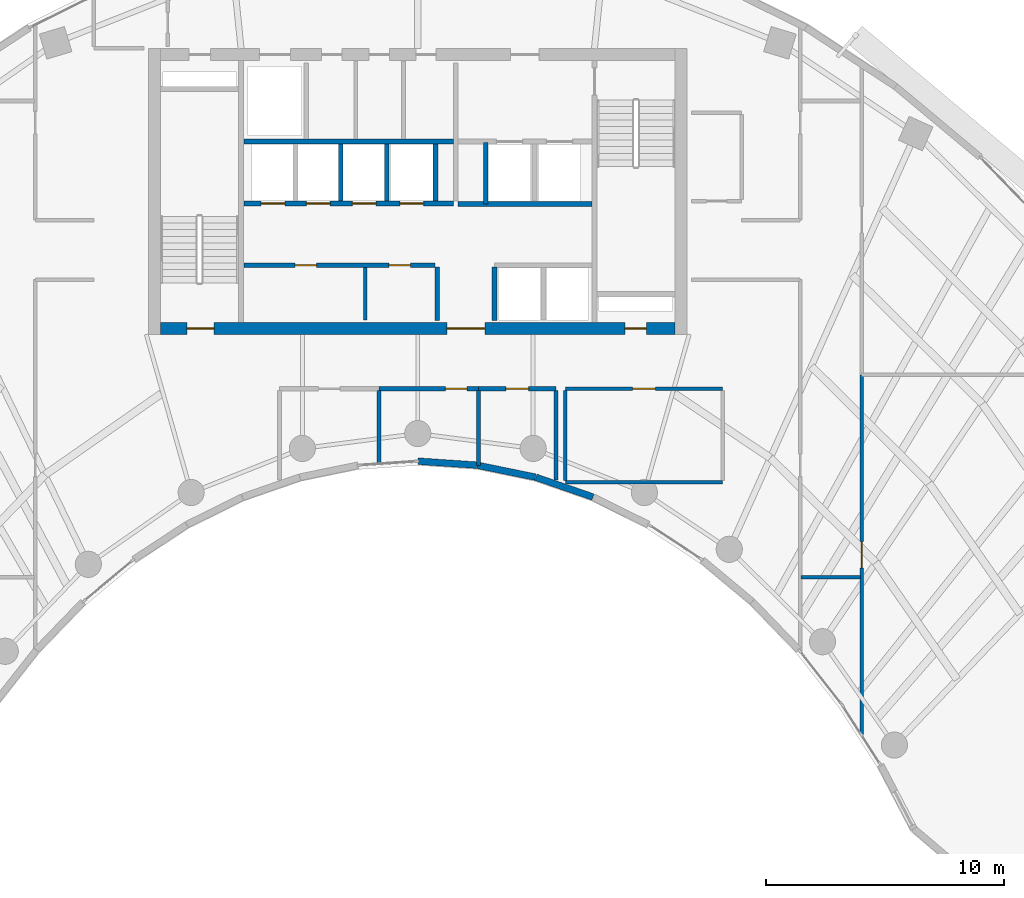
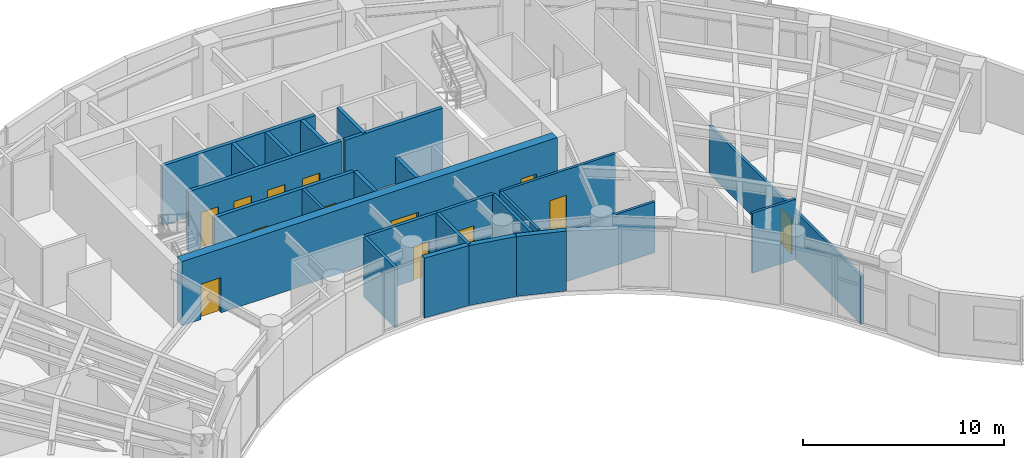
# One storey, part 8 of 13: 25 walls, 13 doors, 13 openings.
"""IFC4 building model written with IfcOpenShell, lengths in metres."""

from ifc_helpers import new_model, si_unit, direction, frame, frame_2d, origin, place, context, subcontext, project, spatial, rectangle, extrude, source, transform, mapped, material, layer, layer_set, type_object, type_shapes, element, fill, save


model = new_model("IFC4")

# Units and contexts
model_context = context("Model", 3, precision=1e-05, world=origin(), true_north=direction((0.0, 1.0)))
body_context = subcontext(model_context, "Body", "Model", "MODEL_VIEW")
ifc_project = project(units=[si_unit("LENGTHUNIT", "METRE"), si_unit("AREAUNIT", "SQUARE_METRE"), si_unit("VOLUMEUNIT", "CUBIC_METRE"), si_unit("PLANEANGLEUNIT", "RADIAN"), si_unit("MASSUNIT", "GRAM", prefix="KILO")], contexts=[model_context])

# Site, building, storey
site_placement = place(None, origin())
site = spatial("IfcSite", under=ifc_project, at=site_placement, CompositionType="ELEMENT")
building_placement = place(site_placement, origin())
building = spatial("IfcBuilding", under=site, at=building_placement, Name="Breltana Convention Tower", CompositionType="ELEMENT")
storey_placement = place(building_placement, frame((0.0, 0.0, 146.699951171875)))
storey = spatial("IfcBuildingStorey", under=building, at=storey_placement, Name="L35", CompositionType="ELEMENT", Elevation=146.699951171875)

# Wall, openings, doors
ifc_material_1 = material(Name="Concrete C60/75", Category="concrete")
ifc_layer_1 = layer(ifc_material_1, 0.5, Name="Concrete C60/75")
ifc_layer_set_1 = layer_set([ifc_layer_1], Name="Concrete C60/75")
wall_type_1 = type_object("IfcWallType", Name="SW-CORE-500", PredefinedType="SHEAR", material=ifc_layer_set_1)
shared_shape_1 = source(origin(), body_context, "Body", "SweptSolid", [
    extrude(rectangle(XDim=21.60009765625, YDim=0.5, at=frame_2d((10.800048828125, 0.0))), origin(), (0.0, 0.0, 1.0), 3.900146484375),
])
wall_1_placement = place(storey_placement, frame((37.199951171875, 60.449951171875, 0.0), z_axis=(0.0, 0.0, 1.0), x_axis=(1.0, 0.0, 0.0)))
wall_1 = element("IfcWall", 1, at=wall_1_placement, inside=storey, type_object=wall_type_1, Name="L35 South Core Shear Wall", PredefinedType="SHEAR", context=body_context, shape_type="MappedRepresentation", body=[
    mapped(shared_shape_1, transform((0.0, 0.0, 0.0), scale=1.0)),
])
opening_1_placement = place(wall_1_placement, frame((1.10009765625, 0.0, 0.0)))
opening_1 = element("IfcOpeningElement", 2, at=opening_1_placement, cuts=wall_1, Name="Opening D-11", PredefinedType="OPENING", context=body_context, shape_type="SweptSolid", body=[
    extrude(rectangle(XDim=1.14990234375, YDim=2.14990234375, at=frame_2d((0.574951171875, 1.074951171875))), frame((0.0, 0.260009765625, 0.0), z_axis=(0.0, -1.0, 0.0), x_axis=(1.0, 0.0, 0.0)), (0.0, 0.0, 1.0), 0.52001953125),
])
opening_2_placement = place(wall_1_placement, frame((19.5, 0.0, 0.0)))
opening_2 = element("IfcOpeningElement", 3, at=opening_2_placement, cuts=wall_1, Name="Opening D-18", PredefinedType="OPENING", context=body_context, shape_type="SweptSolid", body=[
    extrude(rectangle(XDim=0.89990234375, YDim=2.10009765625, at=frame_2d((0.449951171875, 1.050048828125))), frame((0.0, 0.260009765625, 0.0), z_axis=(0.0, -1.0, 0.0), x_axis=(1.0, 0.0, 0.0)), (0.0, 0.0, 1.0), 0.52001953125),
])
opening_3_placement = place(wall_1_placement, frame((12.02001953125, 0.0, 0.0)))
opening_3 = element("IfcOpeningElement", 4, at=opening_3_placement, cuts=wall_1, Name="Opening D-02", PredefinedType="OPENING", context=body_context, shape_type="SweptSolid", body=[
    extrude(rectangle(XDim=1.60009765625, YDim=2.14990234375, at=frame_2d((0.800048828125, 1.074951171875))), frame((0.0, 0.260009765625, 0.0), z_axis=(0.0, -1.0, 0.0), x_axis=(1.0, 0.0, 0.0)), (0.0, 0.0, 1.0), 0.52001953125),
])
ifc_material_2 = material(Name="Steel Stair Exit Door", Category="steel")
door_type_1 = type_object("IfcDoorType", Name="DR-FD120-1150", OperationType="NOTDEFINED", PredefinedType="DOOR", material=ifc_material_2)
shared_shape_2 = source(origin(), body_context, "Body", "SweptSolid", [
    extrude(rectangle(XDim=1.14990234375, YDim=2.14990234375, at=frame_2d((0.574951171875, 1.074951171875))), frame((0.0, 0.02490234375, 0.0), z_axis=(0.0, -1.0, 0.0), x_axis=(1.0, 0.0, 0.0)), (0.0, 0.0, 1.0), 0.050048828125),
])
type_shapes(door_type_1, [shared_shape_2])
door_1_placement = place(opening_1_placement, origin())
door_1 = element("IfcDoor", 5, at=door_1_placement, inside=storey, type_object=door_type_1, Name="L35 interior door D-L35-ST1", OperationType="SINGLE_SWING_LEFT", OverallHeight=2.14990234375, OverallWidth=1.14990234375, PredefinedType="DOOR", context=body_context, shape_type="MappedRepresentation", body=[
    mapped(shared_shape_2, transform((0.0, 0.0, 0.0), scale=1.0)),
])
fill(opening_1, door_1)
ifc_material_3 = material(Name="Steel Riser Fire Door", Category="steel")
door_type_2 = type_object("IfcDoorType", Name="DR-FD60-900", OperationType="NOTDEFINED", PredefinedType="DOOR", material=ifc_material_3)
shared_shape_3 = source(origin(), body_context, "Body", "SweptSolid", [
    extrude(rectangle(XDim=0.89990234375, YDim=2.10009765625, at=frame_2d((0.449951171875, 1.050048828125))), frame((0.0, 0.02490234375, 0.0), z_axis=(0.0, -1.0, 0.0), x_axis=(1.0, 0.0, 0.0)), (0.0, 0.0, 1.0), 0.050048828125),
])
type_shapes(door_type_2, [shared_shape_3])
door_2_placement = place(opening_2_placement, origin())
door_2 = element("IfcDoor", 6, at=door_2_placement, inside=storey, type_object=door_type_2, Name="L35 Core Riser Access Door D-L35-RS2", OperationType="SINGLE_SWING_RIGHT", OverallHeight=2.10009765625, OverallWidth=0.89990234375, PredefinedType="DOOR", context=body_context, shape_type="MappedRepresentation", body=[
    mapped(shared_shape_3, transform((0.0, 0.0, 0.0), scale=1.0)),
])
fill(opening_2, door_2)
ifc_material_4 = material(Name="Steel Glazed Smoke-Control Door", Category="steel")
door_type_3 = type_object("IfcDoorType", Name="DR-DBL-FD90-1600", OperationType="DOUBLE_DOOR_SINGLE_SWING", PredefinedType="DOOR", material=ifc_material_4)
shared_shape_4 = source(origin(), body_context, "Body", "SweptSolid", [
    extrude(rectangle(XDim=1.60009765625, YDim=2.14990234375, at=frame_2d((0.800048828125, 1.074951171875))), frame((0.0, 0.02490234375, 0.0), z_axis=(0.0, -1.0, 0.0), x_axis=(1.0, 0.0, 0.0)), (0.0, 0.0, 1.0), 0.050048828125),
])
type_shapes(door_type_3, [shared_shape_4])
door_3_placement = place(opening_3_placement, origin())
door_3 = element("IfcDoor", 7, at=door_3_placement, inside=storey, type_object=door_type_3, Name="L35 interior door D-L35-LLB-S", OperationType="DOUBLE_DOOR_SINGLE_SWING", OverallHeight=2.14990234375, OverallWidth=1.60009765625, PredefinedType="DOOR", context=body_context, shape_type="MappedRepresentation", body=[
    mapped(shared_shape_4, transform((0.0, 0.0, 0.0), scale=1.0)),
])
fill(opening_3, door_3)

# Walls
ifc_material_5 = material(Name="Limestone Buff Insulated Wall", Category="masonry")
ifc_layer_2 = layer(ifc_material_5, 0.280029296875, Name="Limestone Buff Insulated Wall")
ifc_layer_set_2 = layer_set([ifc_layer_2], Name="Limestone Buff Insulated Wall")
wall_type_2 = type_object("IfcWallType", Name="WL-EXT-NOSE-280", PredefinedType="SOLIDWALL", material=ifc_layer_set_2)
shared_shape_5 = source(origin(), body_context, "Body", "SweptSolid", [
    extrude(rectangle(XDim=2.52978515625, YDim=0.280029296875, at=frame_2d((1.264892578125, 0.0))), origin(), (0.0, 0.0, 1.0), 3.650146484375),
])
wall_2_placement = place(storey_placement, frame((55.35546875, 53.369873046875, 0.0), z_axis=(0.0, 0.0, 1.0), x_axis=(-0.944872429646, 0.327438683872, 0.0)))
element("IfcWall", 8, at=wall_2_placement, inside=storey, type_object=wall_type_2, Name="L35 curved limestone nose wall E10", PredefinedType="SOLIDWALL", context=body_context, shape_type="MappedRepresentation", body=[
    mapped(shared_shape_5, transform((0.0, 0.0, 0.0), scale=1.0)),
])
shared_shape_6 = source(origin(), body_context, "Body", "SweptSolid", [
    extrude(rectangle(XDim=2.4912109375, YDim=0.280029296875, at=frame_2d((1.24560546875, 0.0))), origin(), (0.0, 0.0, 1.0), 3.650146484375),
])
wall_3_placement = place(storey_placement, frame((52.9423828125, 54.20458984375, 0.0), z_axis=(0.0, 0.0, 1.0), x_axis=(-0.979630885979, 0.200806691214, 0.0)))
element("IfcWall", 9, at=wall_3_placement, inside=storey, type_object=wall_type_2, Name="L35 curved limestone nose wall E11", PredefinedType="SOLIDWALL", context=body_context, shape_type="MappedRepresentation", body=[
    mapped(shared_shape_6, transform((0.0, 0.0, 0.0), scale=1.0)),
])
shared_shape_7 = source(origin(), body_context, "Body", "SweptSolid", [
    extrude(rectangle(XDim=2.471435546875, YDim=0.280029296875, at=frame_2d((1.23583984375, 0.0))), origin(), (0.0, 0.0, 1.0), 3.650146484375),
])
wall_4_placement = place(storey_placement, frame((50.47802734375, 54.708251953125, 0.0), z_axis=(0.0, 0.0, 1.0), x_axis=(-0.997708006929, 0.067666335123, 0.0)))
element("IfcWall", 10, at=wall_4_placement, inside=storey, type_object=wall_type_2, Name="L35 curved limestone nose wall E12", PredefinedType="SOLIDWALL", context=body_context, shape_type="MappedRepresentation", body=[
    mapped(shared_shape_7, transform((0.0, 0.0, 0.0), scale=1.0)),
])
ifc_material_6 = material(Name="Gypsum Acoustic Drywall Partition")
ifc_layer_3 = layer(ifc_material_6, 0.14990234375, Name="Gypsum Acoustic Drywall Partition")
ifc_layer_set_3 = layer_set([ifc_layer_3], Name="Gypsum Acoustic Drywall Partition")
wall_type_3 = type_object("IfcWallType", Name="WL-PART-150", PredefinedType="PARTITIONING", material=ifc_layer_set_3)
shared_shape_8 = source(origin(), body_context, "Body", "SweptSolid", [
    extrude(rectangle(XDim=6.60009765625, YDim=0.14990234375, at=frame_2d((3.300048828125, 0.0))), origin(), (0.0, 0.0, 1.0), 3.094970703125),
])
wall_5_placement = place(storey_placement, frame((54.199951171875, 54.0, 0.0), z_axis=(0.0, 0.0, 1.0), x_axis=(1.0, 0.0, 0.0)))
element("IfcWall", 11, at=wall_5_placement, inside=storey, type_object=wall_type_3, Name="L35 interior partition W-L35-PNT-S", PredefinedType="PARTITIONING", context=body_context, shape_type="MappedRepresentation", body=[
    mapped(shared_shape_8, transform((0.0, 0.0, 0.0), scale=1.0)),
])
ifc_material_7 = material(Name="Autoclaved Aerated Concrete Block", Category="concrete")
ifc_layer_4 = layer(ifc_material_7, 0.199951171875, Name="Autoclaved Aerated Concrete Block")
ifc_layer_set_4 = layer_set([ifc_layer_4], Name="Autoclaved Aerated Concrete Block")
wall_type_4 = type_object("IfcWallType", Name="WL-SHAFT-200", PredefinedType="SOLIDWALL", material=ifc_layer_set_4)
shared_shape_9 = source(origin(), body_context, "Body", "SweptSolid", [
    extrude(rectangle(XDim=2.239990234375, YDim=0.199951171875, at=frame_2d((1.1201171875, 0.0))), origin(), (0.0, 0.0, 1.0), 3.650146484375),
])
for number, where, z_axis, x_axis, name in (
    (12, (48.820068359375, 60.780029296875, 0.0), (0.0, 0.0, 1.0), (0.0, 1.0, 0.0), "L35 interior partition W-L35-PORT-W"),
    (13, (51.219970703125, 60.780029296875, 0.0), (0.0, 0.0, 1.0), (0.0, 1.0, 0.0), "L35 interior partition W-L35-PORT-E"),
):
    element("IfcWall", number, at=place(storey_placement, frame(where, z_axis=z_axis, x_axis=x_axis)), inside=storey, type_object=wall_type_4, Name=name, PredefinedType="SOLIDWALL", context=body_context, shape_type="MappedRepresentation", body=[
        mapped(shared_shape_9, transform((0.0, 0.0, 0.0), scale=1.0)),
    ])
shared_shape_10 = source(origin(), body_context, "Body", "SweptSolid", [
    extrude(rectangle(XDim=5.6201171875, YDim=0.199951171875, at=frame_2d((2.81005859375, 0.0))), origin(), (0.0, 0.0, 1.0), 3.650146484375),
])
wall_6_placement = place(storey_placement, frame((49.699951171875, 65.679931640625, 0.0), z_axis=(0.0, 0.0, 1.0), x_axis=(1.0, 0.0, 0.0)))
element("IfcWall", 14, at=wall_6_placement, inside=storey, type_object=wall_type_4, Name="L35 interior partition W-L35-FL-S", PredefinedType="SOLIDWALL", context=body_context, shape_type="MappedRepresentation", body=[
    mapped(shared_shape_10, transform((0.0, 0.0, 0.0), scale=1.0)),
])
shared_shape_11 = source(origin(), body_context, "Body", "SweptSolid", [
    extrude(rectangle(XDim=2.580078125, YDim=0.199951171875, at=frame_2d((1.2900390625, 0.0))), origin(), (0.0, 0.0, 1.0), 3.650146484375),
])
wall_7_placement = place(storey_placement, frame((50.85009765625, 65.679931640625, 0.0), z_axis=(0.0, 0.0, 1.0), x_axis=(0.0, 1.0, 0.0)))
element("IfcWall", 15, at=wall_7_placement, inside=storey, type_object=wall_type_4, Name="L35 interior partition W-L35-FL-W", PredefinedType="SOLIDWALL", context=body_context, shape_type="MappedRepresentation", body=[
    mapped(shared_shape_11, transform((0.0, 0.0, 0.0), scale=1.0)),
])
shared_shape_12 = source(origin(), body_context, "Body", "SweptSolid", [
    extrude(rectangle(XDim=2.39990234375, YDim=0.199951171875, at=frame_2d((1.199951171875, 0.0))), origin(), (0.0, 0.0, 1.0), 3.650146484375),
])
for number, where, z_axis, x_axis, name in (
    (16, (48.75, 65.800048828125, 0.0), (0.0, 0.0, 1.0), (0.0, 1.0, 0.0), "L35 interior partition W-L35-SH-M-END"),
    (17, (44.77001953125, 65.800048828125, 0.0), (0.0, 0.0, 1.0), (0.0, 1.0, 0.0), "L35 interior partition W-L35-SH-M-DIV2"),
    (18, (46.699951171875, 65.800048828125, 0.0), (0.0, 0.0, 1.0), (0.0, 1.0, 0.0), "L35 interior partition W-L35-SH-M-DIV3"),
):
    element("IfcWall", number, at=place(storey_placement, frame(where, z_axis=z_axis, x_axis=x_axis)), inside=storey, type_object=wall_type_4, Name=name, PredefinedType="SOLIDWALL", context=body_context, shape_type="MappedRepresentation", body=[
        mapped(shared_shape_12, transform((0.0, 0.0, 0.0), scale=1.0)),
    ])
shared_shape_13 = source(origin(), body_context, "Body", "SweptSolid", [
    extrude(rectangle(XDim=8.800048828125, YDim=0.199951171875, at=frame_2d((4.39990234375, 0.0))), origin(), (0.0, 0.0, 1.0), 3.650146484375),
])
wall_8_placement = place(storey_placement, frame((40.699951171875, 68.300048828125, 0.0), z_axis=(0.0, 0.0, 1.0), x_axis=(1.0, 0.0, 0.0)))
element("IfcWall", 19, at=wall_8_placement, inside=storey, type_object=wall_type_4, Name="L35 interior partition W-L35-SV-S", PredefinedType="SOLIDWALL", context=body_context, shape_type="MappedRepresentation", body=[
    mapped(shared_shape_13, transform((0.0, 0.0, 0.0), scale=1.0)),
])

# Wall, openings, doors
wall_9_placement = place(storey_placement, frame((40.699951171875, 65.699951171875, 0.0), z_axis=(0.0, 0.0, 1.0), x_axis=(1.0, 0.0, 0.0)))
wall_9 = element("IfcWall", 20, at=wall_9_placement, inside=storey, type_object=wall_type_4, Name="L35 interior partition W-L35-SH-M-FRONT", PredefinedType="SOLIDWALL", context=body_context, shape_type="MappedRepresentation", body=[
    mapped(shared_shape_13, transform((0.0, 0.0, 0.0), scale=1.0)),
])
opening_4_placement = place(wall_9_placement, frame((0.719970703125, 0.0, 0.0)))
opening_4 = element("IfcOpeningElement", 21, at=opening_4_placement, cuts=wall_9, Name="Opening LD-04", PredefinedType="OPENING", context=body_context, shape_type="SweptSolid", body=[
    extrude(rectangle(XDim=1.0, YDim=2.14990234375, at=frame_2d((0.5, 1.074951171875))), frame((0.0, 0.10986328125, 0.0), z_axis=(0.0, -1.0, 0.0), x_axis=(1.0, 0.0, 0.0)), (0.0, 0.0, 1.0), 0.219970703125),
])
opening_5_placement = place(wall_9_placement, frame((2.6201171875, 0.0, 0.0)))
opening_5 = element("IfcOpeningElement", 22, at=opening_5_placement, cuts=wall_9, Name="Opening LD-04", PredefinedType="OPENING", context=body_context, shape_type="SweptSolid", body=[
    extrude(rectangle(XDim=1.0, YDim=2.14990234375, at=frame_2d((0.5, 1.074951171875))), frame((0.0, 0.10986328125, 0.0), z_axis=(0.0, -1.0, 0.0), x_axis=(1.0, 0.0, 0.0)), (0.0, 0.0, 1.0), 0.219970703125),
])
opening_6_placement = place(wall_9_placement, frame((4.550048828125, 0.0, 0.0)))
opening_6 = element("IfcOpeningElement", 23, at=opening_6_placement, cuts=wall_9, Name="Opening LD-04", PredefinedType="OPENING", context=body_context, shape_type="SweptSolid", body=[
    extrude(rectangle(XDim=1.0, YDim=2.14990234375, at=frame_2d((0.5, 1.074951171875))), frame((0.0, 0.10986328125, 0.0), z_axis=(0.0, -1.0, 0.0), x_axis=(1.0, 0.0, 0.0)), (0.0, 0.0, 1.0), 0.219970703125),
])
opening_7_placement = place(wall_9_placement, frame((6.550048828125, 0.0, 0.0)))
opening_7 = element("IfcOpeningElement", 24, at=opening_7_placement, cuts=wall_9, Name="Opening LD-04", PredefinedType="OPENING", context=body_context, shape_type="SweptSolid", body=[
    extrude(rectangle(XDim=1.0, YDim=2.14990234375, at=frame_2d((0.5, 1.074951171875))), frame((0.0, 0.10986328125, 0.0), z_axis=(0.0, -1.0, 0.0), x_axis=(1.0, 0.0, 0.0)), (0.0, 0.0, 1.0), 0.219970703125),
])
ifc_material_8 = material(Name="Stainless Steel Brushed", Category="steel")
door_type_4 = type_object("IfcDoorType", Name="DR-LD-PAX-1000", OperationType="DOUBLE_DOOR_SLIDING", PredefinedType="DOOR", material=ifc_material_8)
shared_shape_14 = source(origin(), body_context, "Body", "SweptSolid", [
    extrude(rectangle(XDim=1.0, YDim=2.14990234375, at=frame_2d((0.5, 1.074951171875))), frame((0.0, 0.02490234375, 0.0), z_axis=(0.0, -1.0, 0.0), x_axis=(1.0, 0.0, 0.0)), (0.0, 0.0, 1.0), 0.050048828125),
])
type_shapes(door_type_4, [shared_shape_14])
door_4_placement = place(opening_4_placement, origin())
door_4 = element("IfcDoor", 25, at=door_4_placement, inside=storey, type_object=door_type_4, Name="L35 Lift Landing Door D-L35-LD-M1", OperationType="DOUBLE_DOOR_SLIDING", OverallHeight=2.14990234375, OverallWidth=1.0, PredefinedType="DOOR", context=body_context, shape_type="MappedRepresentation", body=[
    mapped(shared_shape_14, transform((0.0, 0.0, 0.0), scale=1.0)),
])
fill(opening_4, door_4)
door_5_placement = place(opening_5_placement, origin())
door_5 = element("IfcDoor", 26, at=door_5_placement, inside=storey, type_object=door_type_4, Name="L35 Lift Landing Door D-L35-LD-M2", OperationType="DOUBLE_DOOR_SLIDING", OverallHeight=2.14990234375, OverallWidth=1.0, PredefinedType="DOOR", context=body_context, shape_type="MappedRepresentation", body=[
    mapped(shared_shape_14, transform((0.0, 0.0, 0.0), scale=1.0)),
])
fill(opening_5, door_5)
door_6_placement = place(opening_6_placement, origin())
door_6 = element("IfcDoor", 27, at=door_6_placement, inside=storey, type_object=door_type_4, Name="L35 Lift Landing Door D-L35-LD-M3", OperationType="DOUBLE_DOOR_SLIDING", OverallHeight=2.14990234375, OverallWidth=1.0, PredefinedType="DOOR", context=body_context, shape_type="MappedRepresentation", body=[
    mapped(shared_shape_14, transform((0.0, 0.0, 0.0), scale=1.0)),
])
fill(opening_6, door_6)
door_7_placement = place(opening_7_placement, origin())
door_7 = element("IfcDoor", 28, at=door_7_placement, inside=storey, type_object=door_type_4, Name="L35 Lift Landing Door D-L35-LD-M4", OperationType="DOUBLE_DOOR_SLIDING", OverallHeight=2.14990234375, OverallWidth=1.0, PredefinedType="DOOR", context=body_context, shape_type="MappedRepresentation", body=[
    mapped(shared_shape_14, transform((0.0, 0.0, 0.0), scale=1.0)),
])
fill(opening_7, door_7)

shared_shape_15 = source(origin(), body_context, "Body", "SweptSolid", [
    extrude(rectangle(XDim=8.02001953125, YDim=0.199951171875, at=frame_2d((4.010009765625, 0.0))), origin(), (0.0, 0.0, 1.0), 3.650146484375),
])
wall_10_placement = place(storey_placement, frame((40.699951171875, 63.10009765625, 0.0), z_axis=(0.0, 0.0, 1.0), x_axis=(1.0, 0.0, 0.0)))
wall_10 = element("IfcWall", 29, at=wall_10_placement, inside=storey, type_object=wall_type_4, Name="L35 interior partition W-L35-SH-S-FRONT", PredefinedType="SOLIDWALL", context=body_context, shape_type="MappedRepresentation", body=[
    mapped(shared_shape_15, transform((0.0, 0.0, 0.0), scale=1.0)),
])
opening_8_placement = place(wall_10_placement, frame((2.14990234375, 0.0, 0.0)))
opening_8 = element("IfcOpeningElement", 30, at=opening_8_placement, cuts=wall_10, Name="Opening D-18", PredefinedType="OPENING", context=body_context, shape_type="SweptSolid", body=[
    extrude(rectangle(XDim=0.89990234375, YDim=2.10009765625, at=frame_2d((0.449951171875, 1.050048828125))), frame((0.0, 0.10986328125, 0.0), z_axis=(0.0, -1.0, 0.0), x_axis=(1.0, 0.0, 0.0)), (0.0, 0.0, 1.0), 0.219970703125),
])
opening_9_placement = place(wall_10_placement, frame((6.090087890625, 0.0, 0.0)))
opening_9 = element("IfcOpeningElement", 31, at=opening_9_placement, cuts=wall_10, Name="Opening D-18", PredefinedType="OPENING", context=body_context, shape_type="SweptSolid", body=[
    extrude(rectangle(XDim=0.89990234375, YDim=2.10009765625, at=frame_2d((0.449951171875, 1.050048828125))), frame((0.0, 0.10986328125, 0.0), z_axis=(0.0, -1.0, 0.0), x_axis=(1.0, 0.0, 0.0)), (0.0, 0.0, 1.0), 0.219970703125),
])
door_8_placement = place(opening_8_placement, origin())
door_8 = element("IfcDoor", 32, at=door_8_placement, inside=storey, type_object=door_type_2, Name="L35 interior door D-L35-LV7-B1A", OperationType="SINGLE_SWING_RIGHT", OverallHeight=2.10009765625, OverallWidth=0.89990234375, PredefinedType="DOOR", context=body_context, shape_type="MappedRepresentation", body=[
    mapped(shared_shape_3, transform((0.0, 0.0, 0.0), scale=1.0)),
])
fill(opening_8, door_8)
door_9_placement = place(opening_9_placement, origin())
door_9 = element("IfcDoor", 33, at=door_9_placement, inside=storey, type_object=door_type_2, Name="L35 interior door D-L35-LV7-B1B", OperationType="SINGLE_SWING_LEFT", OverallHeight=2.10009765625, OverallWidth=0.89990234375, PredefinedType="DOOR", context=body_context, shape_type="MappedRepresentation", body=[
    mapped(shared_shape_3, transform((0.0, 0.0, 0.0), scale=1.0)),
])
fill(opening_9, door_9)

# Wall, opening, door
ifc_material_9 = material(Name="Moisture-Resistant Gypsum Chase Wall")
ifc_layer_5 = layer(ifc_material_9, 0.179931640625, Name="Moisture-Resistant Gypsum Chase Wall")
ifc_layer_set_5 = layer_set([ifc_layer_5], Name="Moisture-Resistant Gypsum Chase Wall")
wall_type_5 = type_object("IfcWallType", Name="WL-PLUMB-180", PredefinedType="PLUMBINGWALL", material=ifc_layer_set_5)
shared_shape_16 = source(origin(), body_context, "Body", "SweptSolid", [
    extrude(rectangle(XDim=4.176025390625, YDim=0.179931640625, at=frame_2d((2.087890625, 0.0))), origin(), (0.0, 0.0, 1.0), 3.650146484375),
])
wall_11_placement = place(storey_placement, frame((46.3759765625, 57.919921875, 0.0), z_axis=(0.0, 0.0, 1.0), x_axis=(1.0, 0.0, 0.0)))
wall_11 = element("IfcWall", 34, at=wall_11_placement, inside=storey, type_object=wall_type_5, Name="L35 interior partition W-L35-WCF-N", PredefinedType="PLUMBINGWALL", context=body_context, shape_type="MappedRepresentation", body=[
    mapped(shared_shape_16, transform((0.0, 0.0, 0.0), scale=1.0)),
])
opening_10_placement = place(wall_11_placement, frame((2.7880859375, 0.0, 0.0)))
opening_10 = element("IfcOpeningElement", 35, at=opening_10_placement, cuts=wall_11, Name="Opening D-19", PredefinedType="OPENING", context=body_context, shape_type="SweptSolid", body=[
    extrude(rectangle(XDim=0.89990234375, YDim=2.080078125, at=frame_2d((0.449951171875, 1.0400390625))), frame((0.0, 0.10009765625, 0.0), z_axis=(0.0, -1.0, 0.0), x_axis=(1.0, 0.0, 0.0)), (0.0, 0.0, 1.0), 0.199951171875),
])
ifc_material_10 = material(Name="Timber Moisture-Resistant Door", Category="wood")
door_type_5 = type_object("IfcDoorType", Name="DR-WC-900", OperationType="NOTDEFINED", PredefinedType="DOOR", material=ifc_material_10)
shared_shape_17 = source(origin(), body_context, "Body", "SweptSolid", [
    extrude(rectangle(XDim=0.89990234375, YDim=2.080078125, at=frame_2d((0.449951171875, 1.0400390625))), frame((0.0, 0.02490234375, 0.0), z_axis=(0.0, -1.0, 0.0), x_axis=(1.0, 0.0, 0.0)), (0.0, 0.0, 1.0), 0.050048828125),
])
type_shapes(door_type_5, [shared_shape_17])
door_10_placement = place(opening_10_placement, origin())
door_10 = element("IfcDoor", 36, at=door_10_placement, inside=storey, type_object=door_type_5, Name="L35 interior door D-L35-WCF", OperationType="SINGLE_SWING_LEFT", OverallHeight=2.080078125, OverallWidth=0.89990234375, PredefinedType="DOOR", context=body_context, shape_type="MappedRepresentation", body=[
    mapped(shared_shape_17, transform((0.0, 0.0, 0.0), scale=1.0)),
])
fill(opening_10, door_10)

# Wall
ifc_material_11 = material(Name="Cement Board Wet-Area Partition")
ifc_layer_6 = layer(ifc_material_11, 0.175048828125, Name="Cement Board Wet-Area Partition")
ifc_layer_set_6 = layer_set([ifc_layer_6], Name="Cement Board Wet-Area Partition")
wall_type_6 = type_object("IfcWallType", Name="WL-WET-175", PredefinedType="PARTITIONING", material=ifc_layer_set_6)
shared_shape_18 = source(origin(), body_context, "Body", "SweptSolid", [
    extrude(rectangle(XDim=3.7626953125, YDim=0.175048828125, at=frame_2d((1.88134765625, 0.0))), origin(), (0.0, 0.0, 1.0), 3.650146484375),
])
wall_12_placement = place(storey_placement, frame((53.800048828125, 54.07861328125, 0.0), z_axis=(0.0, 0.0, 1.0), x_axis=(0.0, 1.0, 0.0)))
element("IfcWall", 37, at=wall_12_placement, inside=storey, type_object=wall_type_6, Name="L35 interior partition W-L35-WCA-E", PredefinedType="PARTITIONING", context=body_context, shape_type="MappedRepresentation", body=[
    mapped(shared_shape_18, transform((0.0, 0.0, 0.0), scale=1.0)),
])

# Wall, opening, door
shared_shape_19 = source(origin(), body_context, "Body", "SweptSolid", [
    extrude(rectangle(XDim=3.248046875, YDim=0.179931640625, at=frame_2d((1.6240234375, 0.0))), origin(), (0.0, 0.0, 1.0), 3.650146484375),
])
wall_13_placement = place(storey_placement, frame((50.552001953125, 57.919921875, 0.0), z_axis=(0.0, 0.0, 1.0), x_axis=(1.0, 0.0, 0.0)))
wall_13 = element("IfcWall", 38, at=wall_13_placement, inside=storey, type_object=wall_type_5, Name="L35 interior partition W-L35-WCA-N", PredefinedType="PLUMBINGWALL", context=body_context, shape_type="MappedRepresentation", body=[
    mapped(shared_shape_19, transform((0.0, 0.0, 0.0), scale=1.0)),
])
opening_11_placement = place(wall_13_placement, frame((1.14892578125, 0.0, 0.0)))
opening_11 = element("IfcOpeningElement", 39, at=opening_11_placement, cuts=wall_13, Name="Opening D-16", PredefinedType="OPENING", context=body_context, shape_type="SweptSolid", body=[
    extrude(rectangle(XDim=0.949951171875, YDim=2.1201171875, at=frame_2d((0.47509765625, 1.06005859375))), frame((0.0, 0.10009765625, 0.0), z_axis=(0.0, -1.0, 0.0), x_axis=(1.0, 0.0, 0.0)), (0.0, 0.0, 1.0), 0.199951171875),
])
ifc_material_12 = material(Name="Timber Laminate Accessible Door", Category="wood")
door_type_6 = type_object("IfcDoorType", Name="DR-ACC-950", OperationType="NOTDEFINED", PredefinedType="DOOR", material=ifc_material_12)
shared_shape_20 = source(origin(), body_context, "Body", "SweptSolid", [
    extrude(rectangle(XDim=0.949951171875, YDim=2.1201171875, at=frame_2d((0.47509765625, 1.06005859375))), frame((0.0, 0.02490234375, 0.0), z_axis=(0.0, -1.0, 0.0), x_axis=(1.0, 0.0, 0.0)), (0.0, 0.0, 1.0), 0.050048828125),
])
type_shapes(door_type_6, [shared_shape_20])
door_11_placement = place(opening_11_placement, origin())
door_11 = element("IfcDoor", 40, at=door_11_placement, inside=storey, type_object=door_type_6, Name="L35 interior door D-L35-WCA", OperationType="SINGLE_SWING_RIGHT", OverallHeight=2.1201171875, OverallWidth=0.949951171875, PredefinedType="DOOR", context=body_context, shape_type="MappedRepresentation", body=[
    mapped(shared_shape_20, transform((0.0, 0.0, 0.0), scale=1.0)),
])
fill(opening_11, door_11)

shared_shape_21 = source(origin(), body_context, "Body", "SweptSolid", [
    extrude(rectangle(XDim=6.60009765625, YDim=0.14990234375, at=frame_2d((3.300048828125, 0.0))), origin(), (0.0, 0.0, 1.0), 3.650146484375),
])
wall_14_placement = place(storey_placement, frame((54.199951171875, 57.919921875, 0.0), z_axis=(0.0, 0.0, 1.0), x_axis=(1.0, 0.0, 0.0)))
wall_14 = element("IfcWall", 41, at=wall_14_placement, inside=storey, type_object=wall_type_3, Name="L35 interior partition W-L35-PNT-N", PredefinedType="PARTITIONING", context=body_context, shape_type="MappedRepresentation", body=[
    mapped(shared_shape_21, transform((0.0, 0.0, 0.0), scale=1.0)),
])
opening_12_placement = place(wall_14_placement, frame((2.824951171875, 0.0, 0.0)))
opening_12 = element("IfcOpeningElement", 42, at=opening_12_placement, cuts=wall_14, Name="Opening D-17", PredefinedType="OPENING", context=body_context, shape_type="SweptSolid", body=[
    extrude(rectangle(XDim=0.949951171875, YDim=2.10009765625, at=frame_2d((0.47509765625, 1.050048828125))), frame((0.0, 0.0849609375, 0.0), z_axis=(0.0, -1.0, 0.0), x_axis=(1.0, 0.0, 0.0)), (0.0, 0.0, 1.0), 0.169921875),
])
ifc_material_13 = material(Name="Timber Oak Veneer Door", Category="wood")
door_type_7 = type_object("IfcDoorType", Name="DR-INT-950", OperationType="NOTDEFINED", PredefinedType="DOOR", material=ifc_material_13)
shared_shape_22 = source(origin(), body_context, "Body", "SweptSolid", [
    extrude(rectangle(XDim=0.949951171875, YDim=2.10009765625, at=frame_2d((0.47509765625, 1.050048828125))), frame((0.0, 0.02490234375, 0.0), z_axis=(0.0, -1.0, 0.0), x_axis=(1.0, 0.0, 0.0)), (0.0, 0.0, 1.0), 0.050048828125),
])
type_shapes(door_type_7, [shared_shape_22])
door_12_placement = place(opening_12_placement, origin())
door_12 = element("IfcDoor", 43, at=door_12_placement, inside=storey, type_object=door_type_7, Name="L35 interior door D-L35-PNT", OperationType="SINGLE_SWING_LEFT", OverallHeight=2.10009765625, OverallWidth=0.949951171875, PredefinedType="DOOR", context=body_context, shape_type="MappedRepresentation", body=[
    mapped(shared_shape_22, transform((0.0, 0.0, 0.0), scale=1.0)),
])
fill(opening_12, door_12)

# Walls
shared_shape_23 = source(origin(), body_context, "Body", "SweptSolid", [
    extrude(rectangle(XDim=3.78515625, YDim=0.14990234375, at=frame_2d((1.892578125, 0.0))), origin(), (0.0, 0.0, 1.0), 3.650146484375),
])
wall_15_placement = place(storey_placement, frame((54.199951171875, 54.0673828125, 0.0), z_axis=(0.0, 0.0, 1.0), x_axis=(0.0, 1.0, 0.0)))
element("IfcWall", 44, at=wall_15_placement, inside=storey, type_object=wall_type_3, Name="L35 interior partition W-L35-PNT-W", PredefinedType="PARTITIONING", context=body_context, shape_type="MappedRepresentation", body=[
    mapped(shared_shape_23, transform((0.0, 0.0, 0.0), scale=1.0)),
])
shared_shape_24 = source(origin(), body_context, "Body", "SweptSolid", [
    extrude(rectangle(XDim=2.5, YDim=0.14990234375, at=frame_2d((1.25, 0.0))), origin(), (0.0, 0.0, 1.0), 3.650146484375),
])
wall_16_placement = place(storey_placement, frame((64.10009765625, 50.0, 0.0), z_axis=(0.0, 0.0, 1.0), x_axis=(1.0, 0.0, 0.0)))
element("IfcWall", 45, at=wall_16_placement, inside=storey, type_object=wall_type_3, Name="L35 interior partition W-L35-CORNE-S", PredefinedType="PARTITIONING", context=body_context, shape_type="MappedRepresentation", body=[
    mapped(shared_shape_24, transform((0.0, 0.0, 0.0), scale=1.0)),
])
shared_shape_25 = source(origin(), body_context, "Body", "SweptSolid", [
    extrude(rectangle(XDim=2.199951171875, YDim=0.14990234375, at=frame_2d((1.10009765625, 0.0))), origin(), (0.0, 0.0, 1.0), 3.650146484375),
])
wall_17_placement = place(storey_placement, frame((45.800048828125, 60.800048828125, 0.0), z_axis=(0.0, 0.0, 1.0), x_axis=(0.0, 1.0, 0.0)))
element("IfcWall", 46, at=wall_17_placement, inside=storey, type_object=wall_type_3, Name="L35 interior partition W-L35-LV7-B1-DIV", PredefinedType="PARTITIONING", context=body_context, shape_type="MappedRepresentation", body=[
    mapped(shared_shape_25, transform((0.0, 0.0, 0.0), scale=1.0)),
])
shared_shape_26 = source(origin(), body_context, "Body", "SweptSolid", [
    extrude(rectangle(XDim=3.065185546875, YDim=0.175048828125, at=frame_2d((1.53271484375, 0.0))), origin(), (0.0, 0.0, 1.0), 3.650146484375),
])
wall_18_placement = place(storey_placement, frame((46.3759765625, 54.776123046875, 0.0), z_axis=(0.0, 0.0, 1.0), x_axis=(0.0, 1.0, 0.0)))
element("IfcWall", 47, at=wall_18_placement, inside=storey, type_object=wall_type_6, Name="L35 interior partition W-L35-WCM-E", PredefinedType="PARTITIONING", context=body_context, shape_type="MappedRepresentation", body=[
    mapped(shared_shape_26, transform((0.0, 0.0, 0.0), scale=1.0)),
])
shared_shape_27 = source(origin(), body_context, "Body", "SweptSolid", [
    extrude(rectangle(XDim=3.136474609375, YDim=0.175048828125, at=frame_2d((1.568359375, 0.0))), origin(), (0.0, 0.0, 1.0), 3.650146484375),
])
wall_19_placement = place(storey_placement, frame((50.552001953125, 54.704833984375, 0.0), z_axis=(0.0, 0.0, 1.0), x_axis=(0.0, 1.0, 0.0)))
element("IfcWall", 48, at=wall_19_placement, inside=storey, type_object=wall_type_6, Name="L35 interior partition W-L35-WCF-E", PredefinedType="PARTITIONING", context=body_context, shape_type="MappedRepresentation", body=[
    mapped(shared_shape_27, transform((0.0, 0.0, 0.0), scale=1.0)),
])

# Wall, opening, door
shared_shape_28 = source(origin(), body_context, "Body", "SweptSolid", [
    extrude(rectangle(XDim=15.11181640625, YDim=0.14990234375, at=frame_2d((7.555908203125, 0.0))), origin(), (0.0, 0.0, 1.0), 2.942138671875),
])
wall_20_placement = place(storey_placement, frame((66.639892578125, 43.38818359375, 0.0), z_axis=(0.0, 0.0, 1.0), x_axis=(0.0, 1.0, 0.0)))
wall_20 = element("IfcWall", 49, at=wall_20_placement, inside=storey, type_object=wall_type_3, Name="L35 interior partition W-L35-ZE1-W", PredefinedType="PARTITIONING", context=body_context, shape_type="MappedRepresentation", body=[
    mapped(shared_shape_28, transform((0.0, 0.0, 0.0), scale=1.0)),
])
opening_13_placement = place(wall_20_placement, frame((7.005859375, 0.0, 0.0)))
opening_13 = element("IfcOpeningElement", 50, at=opening_13_placement, cuts=wall_20, Name="Opening D-12", PredefinedType="OPENING", context=body_context, shape_type="SweptSolid", body=[
    extrude(rectangle(XDim=1.10009765625, YDim=2.14990234375, at=frame_2d((0.550048828125, 1.074951171875))), frame((0.0, 0.0849609375, 0.0), z_axis=(0.0, -1.0, 0.0), x_axis=(1.0, 0.0, 0.0)), (0.0, 0.0, 1.0), 0.169921875),
])
ifc_material_14 = material(Name="Timber Oak Acoustic Door", Category="wood")
door_type_8 = type_object("IfcDoorType", Name="DR-INT-1100", OperationType="NOTDEFINED", PredefinedType="DOOR", material=ifc_material_14)
shared_shape_29 = source(origin(), body_context, "Body", "SweptSolid", [
    extrude(rectangle(XDim=1.10009765625, YDim=2.14990234375, at=frame_2d((0.550048828125, 1.074951171875))), frame((0.0, 0.02490234375, 0.0), z_axis=(0.0, -1.0, 0.0), x_axis=(1.0, 0.0, 0.0)), (0.0, 0.0, 1.0), 0.050048828125),
])
type_shapes(door_type_8, [shared_shape_29])
door_13_placement = place(opening_13_placement, origin())
door_13 = element("IfcDoor", 51, at=door_13_placement, inside=storey, type_object=door_type_8, Name="L35 interior door D-L35-ZE1", OperationType="SINGLE_SWING_LEFT", OverallHeight=2.14990234375, OverallWidth=1.10009765625, PredefinedType="DOOR", context=body_context, shape_type="MappedRepresentation", body=[
    mapped(shared_shape_29, transform((0.0, 0.0, 0.0), scale=1.0)),
])
fill(opening_13, door_13)

save(model, "model.ifc")
